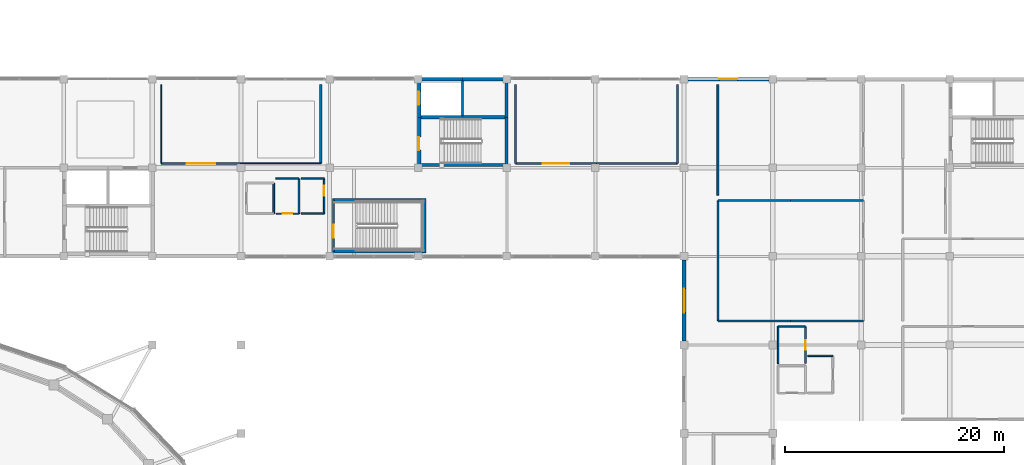
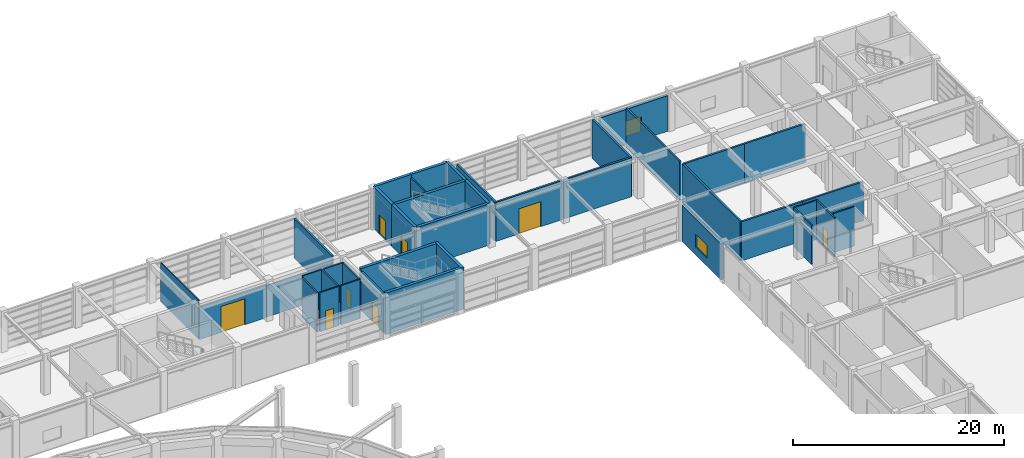
# One storey, part 42 of 56: 40 walls, 8 doors, 2 windows, 10 openings.
"""IFC4 building model written with IfcOpenShell, lengths in metres."""

from ifc_helpers import new_model, si_unit, direction, frame, frame_2d, origin, place, context, subcontext, project, spatial, rectangle, extrude, material, layer, layer_set, type_object, element, fill, save


model = new_model("IFC4")

# Units and contexts
model_context = context("Model", 3, precision=1e-05, world=origin(), true_north=direction((0.0, 1.0)))
body_context = subcontext(model_context, "Body", "Model", "MODEL_VIEW")
ifc_project = project(units=[si_unit("LENGTHUNIT", "METRE"), si_unit("AREAUNIT", "SQUARE_METRE"), si_unit("VOLUMEUNIT", "CUBIC_METRE"), si_unit("PLANEANGLEUNIT", "RADIAN"), si_unit("MASSUNIT", "GRAM", prefix="KILO")], contexts=[model_context])

# Site, building, storey
site_placement = place(None, origin())
site = spatial("IfcSite", under=ifc_project, at=site_placement, CompositionType="ELEMENT")
building_placement = place(site_placement, origin())
building = spatial("IfcBuilding", under=site, at=building_placement, Name="Parian Resonance Hall", CompositionType="ELEMENT")
storey_placement = place(building_placement, frame((0.0, 0.0, 5.39990234375)))
storey = spatial("IfcBuildingStorey", under=building, at=storey_placement, Name="L01", CompositionType="ELEMENT", Elevation=5.39990234375)

# Wall, opening, door
ifc_material_1 = material(Name="Concrete C40/50", Category="concrete")
ifc_layer_1 = layer(ifc_material_1, 0.31005859375)
ifc_layer_set_1 = layer_set([ifc_layer_1], Name="Concrete C40/50")
wall_type_1 = type_object("IfcWallType", Name="CW310", PredefinedType="SHEAR", material=ifc_layer_set_1)
wall_1_placement = place(storey_placement, frame((89.18994140625, 81.25, 0.0), z_axis=(0.0, 0.0, 1.0), x_axis=(0.0, 1.0, 0.0)))
wall_1 = element("IfcWall", 1, at=wall_1_placement, inside=storey, type_object=wall_type_1, Name="Core K5 stairwell west shear wall L01", PredefinedType="SHEAR", context=body_context, shape_type="SweptSolid", body=[
    extrude(rectangle(XDim=4.360107421875, YDim=0.31005859375, at=frame_2d((2.18017578125, 0.0))), origin(), (0.0, 0.0, 1.0), 4.800048828125),
])
opening_1_placement = place(wall_1_placement, frame((1.35009765625, 0.0, 0.0)))
opening_1 = element("IfcOpeningElement", 2, at=opening_1_placement, cuts=wall_1, Name="Opening FD-01", PredefinedType="OPENING", context=body_context, shape_type="SweptSolid", body=[
    extrude(rectangle(XDim=1.199951171875, YDim=2.25, at=frame_2d((0.60009765625, 1.125))), frame((0.0, 0.1650390625, 0.0), z_axis=(0.0, -1.0, 0.0), x_axis=(1.0, 0.0, 0.0)), (0.0, 0.0, 1.0), 0.330078125),
])
ifc_material_2 = material(Name="Fire-rated acoustic steel and narra timber door", Category="steel")
door_type_1 = type_object("IfcDoorType", Name="FD-01", OperationType="NOTDEFINED", PredefinedType="DOOR", material=ifc_material_2)
door_1_placement = place(opening_1_placement, origin())
door_1 = element("IfcDoor", 3, at=door_1_placement, inside=storey, type_object=door_type_1, Name="Exit stair ST-05 fire door L01", OperationType="SINGLE_SWING_LEFT", OverallHeight=2.25, OverallWidth=1.199951171875, PredefinedType="DOOR", context=body_context, shape_type="SweptSolid", body=[
    extrude(rectangle(XDim=1.199951171875, YDim=2.25, at=frame_2d((0.60009765625, 1.125))), frame((0.0, 0.02490234375, 0.0), z_axis=(0.0, -1.0, 0.0), x_axis=(1.0, 0.0, 0.0)), (0.0, 0.0, 1.0), 0.050048828125),
])
fill(opening_1, door_1)

wall_2_placement = place(storey_placement, frame((89.18994140625, 85.610107421875, 0.0), z_axis=(0.0, 0.0, 1.0), x_axis=(0.0, 1.0, 0.0)))
wall_2 = element("IfcWall", 4, at=wall_2_placement, inside=storey, type_object=wall_type_1, Name="Core K5 lift shaft west shear wall L01", PredefinedType="SHEAR", context=body_context, shape_type="SweptSolid", body=[
    extrude(rectangle(XDim=3.489990234375, YDim=0.31005859375, at=frame_2d((1.7451171875, 0.0))), origin(), (0.0, 0.0, 1.0), 4.800048828125),
])
opening_2_placement = place(wall_2_placement, frame((1.14501953125, 0.0, 0.0)))
opening_2 = element("IfcOpeningElement", 5, at=opening_2_placement, cuts=wall_2, Name="Opening LD-01", PredefinedType="OPENING", context=body_context, shape_type="SweptSolid", body=[
    extrude(rectangle(XDim=1.199951171875, YDim=2.199951171875, at=frame_2d((0.60009765625, 1.10009765625))), frame((0.0, 0.1650390625, 0.0), z_axis=(0.0, -1.0, 0.0), x_axis=(1.0, 0.0, 0.0)), (0.0, 0.0, 1.0), 0.330078125),
])
ifc_material_3 = material(Name="Stainless steel and bronze elevator cab", Category="steel")
door_type_2 = type_object("IfcDoorType", Name="DOOR-LIFT-1200x2200", OperationType="SLIDING_TO_LEFT", PredefinedType="DOOR", material=ifc_material_3)
door_2_placement = place(opening_2_placement, origin())
door_2 = element("IfcDoor", 6, at=door_2_placement, inside=storey, type_object=door_type_2, Name="Lift LF-06 sliding landing door L01", OperationType="SLIDING_TO_LEFT", OverallHeight=2.199951171875, OverallWidth=1.199951171875, PredefinedType="DOOR", context=body_context, shape_type="SweptSolid", body=[
    extrude(rectangle(XDim=1.199951171875, YDim=2.199951171875, at=frame_2d((0.60009765625, 1.10009765625))), frame((0.0, 0.02490234375, 0.0), z_axis=(0.0, -1.0, 0.0), x_axis=(1.0, 0.0, 0.0)), (0.0, 0.0, 1.0), 0.050048828125),
])
fill(opening_2, door_2)

# Walls
wall_3_placement = place(storey_placement, frame((89.18994140625, 89.10009765625, 0.0), z_axis=(0.0, 0.0, 1.0), x_axis=(1.0, 0.0, 0.0)))
element("IfcWall", 7, at=wall_3_placement, inside=storey, type_object=wall_type_1, Name="Core K5 north-west shaft wall L01", PredefinedType="SHEAR", context=body_context, shape_type="SweptSolid", body=[
    extrude(rectangle(XDim=3.9599609375, YDim=0.31005859375, at=frame_2d((1.97998046875, 0.0))), origin(), (0.0, 0.0, 1.0), 4.800048828125),
])
wall_4_placement = place(storey_placement, frame((93.14990234375, 89.10009765625, 0.0), z_axis=(0.0, 0.0, 1.0), x_axis=(1.0, 0.0, 0.0)))
element("IfcWall", 8, at=wall_4_placement, inside=storey, type_object=wall_type_1, Name="Core K5 north-east shaft wall L01", PredefinedType="SHEAR", context=body_context, shape_type="SweptSolid", body=[
    extrude(rectangle(XDim=4.02001953125, YDim=0.31005859375, at=frame_2d((2.010009765625, 0.0))), origin(), (0.0, 0.0, 1.0), 4.800048828125),
])
wall_5_placement = place(storey_placement, frame((97.169921875, 89.10009765625, 0.0), z_axis=(0.0, 0.0, 1.0), x_axis=(0.0, -1.0, 0.0)))
element("IfcWall", 9, at=wall_5_placement, inside=storey, type_object=wall_type_1, Name="Core K5 east shaft wall L01", PredefinedType="SHEAR", context=body_context, shape_type="SweptSolid", body=[
    extrude(rectangle(XDim=3.489990234375, YDim=0.31005859375, at=frame_2d((1.7451171875, 0.0))), origin(), (0.0, 0.0, 1.0), 4.800048828125),
])
wall_6_placement = place(storey_placement, frame((97.169921875, 85.610107421875, 0.0), z_axis=(0.0, 0.0, 1.0), x_axis=(0.0, -1.0, 0.0)))
element("IfcWall", 10, at=wall_6_placement, inside=storey, type_object=wall_type_1, Name="Core K5 stairwell east wall L01", PredefinedType="SHEAR", context=body_context, shape_type="SweptSolid", body=[
    extrude(rectangle(XDim=4.360107421875, YDim=0.31005859375, at=frame_2d((2.18017578125, 0.0))), origin(), (0.0, 0.0, 1.0), 4.800048828125),
])
for number, where, z_axis, x_axis, name in (
    (11, (97.169921875, 81.25, 0.0), (0.0, 0.0, 1.0), (-1.0, 0.0, 0.0), "Core K5 stairwell south wall L01"),
    (12, (89.18994140625, 85.610107421875, 0.0), (0.0, 0.0, 1.0), (1.0, 0.0, 0.0), "Core K5 stair-lift divider wall L01"),
):
    element("IfcWall", number, at=place(storey_placement, frame(where, z_axis=z_axis, x_axis=x_axis)), inside=storey, type_object=wall_type_1, Name=name, PredefinedType="SHEAR", context=body_context, shape_type="SweptSolid", body=[
        extrude(rectangle(XDim=7.97998046875, YDim=0.31005859375, at=frame_2d((3.989990234375, 0.0))), origin(), (0.0, 0.0, 1.0), 4.800048828125),
    ])
wall_7_placement = place(storey_placement, frame((81.25, 73.35009765625, 0.0), z_axis=(0.0, 0.0, 1.0), x_axis=(1.0, 0.0, 0.0)))
element("IfcWall", 13, at=wall_7_placement, inside=storey, type_object=wall_type_1, Name="Enclosed foyer exit stair ST-08 shear wall L01-S", PredefinedType="SHEAR", context=body_context, shape_type="SweptSolid", body=[
    extrude(rectangle(XDim=8.544921875, YDim=0.31005859375, at=frame_2d((4.2724609375, 0.0))), origin(), (0.0, 0.0, 1.0), 4.800048828125),
])
wall_8_placement = place(storey_placement, frame((89.639892578125, 73.195068359375, 0.0), z_axis=(0.0, 0.0, 1.0), x_axis=(0.0, 1.0, 0.0)))
element("IfcWall", 14, at=wall_8_placement, inside=storey, type_object=wall_type_1, Name="Enclosed foyer exit stair ST-08 shear wall L01-E", PredefinedType="SHEAR", context=body_context, shape_type="SweptSolid", body=[
    extrude(rectangle(XDim=4.989990234375, YDim=0.31005859375, at=frame_2d((2.4951171875, 0.0))), origin(), (0.0, 0.0, 1.0), 4.800048828125),
])
wall_9_placement = place(storey_placement, frame((89.794921875, 78.030029296875, 0.0), z_axis=(0.0, 0.0, 1.0), x_axis=(-1.0, 0.0, 0.0)))
element("IfcWall", 15, at=wall_9_placement, inside=storey, type_object=wall_type_1, Name="Enclosed foyer exit stair ST-08 shear wall L01-N", PredefinedType="SHEAR", context=body_context, shape_type="SweptSolid", body=[
    extrude(rectangle(XDim=8.544921875, YDim=0.31005859375, at=frame_2d((4.2724609375, 0.0))), origin(), (0.0, 0.0, 1.0), 4.800048828125),
])

# Wall, opening, window
ifc_material_4 = material(Name="Concrete C35/45 with Carcar coral-limestone ashlar", Category="masonry")
ifc_layer_2 = layer(ifc_material_4, 0.340087890625)
ifc_layer_set_2 = layer_set([ifc_layer_2], Name="Concrete C35/45 with Carcar coral-limestone ashlar")
wall_type_2 = type_object("IfcWallType", Name="EW-STONE-340", PredefinedType="SOLIDWALL", material=ifc_layer_set_2)
wall_10_placement = place(storey_placement, frame((121.14990234375, 89.10009765625, 0.0), z_axis=(0.0, 0.0, 1.0), x_axis=(-1.0, 0.0, 0.0)))
wall_10 = element("IfcWall", 16, at=wall_10_placement, inside=storey, type_object=wall_type_2, Name="Perimeter closure wall L01", PredefinedType="SOLIDWALL", context=body_context, shape_type="SweptSolid", body=[
    extrude(rectangle(XDim=7.39990234375, YDim=0.340087890625, at=frame_2d((3.699951171875, 0.0))), origin(), (0.0, 0.0, 1.0), 4.107177734375),
])
opening_3_placement = place(wall_10_placement, frame((2.875, 0.0, 0.89990234375)))
opening_3 = element("IfcOpeningElement", 17, at=opening_3_placement, cuts=wall_10, Name="Opening WN-28", PredefinedType="OPENING", context=body_context, shape_type="SweptSolid", body=[
    extrude(rectangle(XDim=1.64990234375, YDim=1.75, at=frame_2d((0.824951171875, 0.875))), frame((0.0, 0.179931640625, 0.0), z_axis=(0.0, -1.0, 0.0), x_axis=(1.0, 0.0, 0.0)), (0.0, 0.0, 1.0), 0.360107421875),
])
ifc_material_5 = material(Name="Acoustic laminated double glazing", Category="glass")
window_type_1 = type_object("IfcWindowType", Name="WIN-1650x1750", PartitioningType="SINGLE_PANEL", PredefinedType="WINDOW", material=ifc_material_5)
window_1_placement = place(opening_3_placement, origin())
window_1 = element("IfcWindow", 18, at=window_1_placement, inside=storey, type_object=window_type_1, Name="Acoustic window L01-0064", OverallHeight=1.75, OverallWidth=1.64990234375, PartitioningType="SINGLE_PANEL", PredefinedType="WINDOW", context=body_context, shape_type="SweptSolid", body=[
    extrude(rectangle(XDim=1.64990234375, YDim=1.75, at=frame_2d((0.824951171875, 0.875))), frame((0.0, 0.030029296875, 0.0), z_axis=(0.0, -1.0, 0.0), x_axis=(1.0, 0.0, 0.0)), (0.0, 0.0, 1.0), 0.06005859375),
])
fill(opening_3, window_1)

wall_11_placement = place(storey_placement, frame((113.39990234375, 72.550048828125, 0.0), z_axis=(0.0, 0.0, 1.0), x_axis=(0.0, -1.0, 0.0)))
wall_11 = element("IfcWall", 19, at=wall_11_placement, inside=storey, type_object=wall_type_2, Name="Perimeter closure wall L01", PredefinedType="SOLIDWALL", context=body_context, shape_type="SweptSolid", body=[
    extrude(rectangle(XDim=7.400146484375, YDim=0.340087890625, at=frame_2d((3.7001953125, 0.0))), origin(), (0.0, 0.0, 1.0), 4.1669921875),
])
opening_4_placement = place(wall_11_placement, frame((2.60009765625, 0.0, 0.89990234375)))
opening_4 = element("IfcOpeningElement", 20, at=opening_4_placement, cuts=wall_11, Name="Opening WN-39", PredefinedType="OPENING", context=body_context, shape_type="SweptSolid", body=[
    extrude(rectangle(XDim=2.199951171875, YDim=1.5, at=frame_2d((1.10009765625, 0.75))), frame((0.0, 0.179931640625, 0.0), z_axis=(0.0, -1.0, 0.0), x_axis=(1.0, 0.0, 0.0)), (0.0, 0.0, 1.0), 0.360107421875),
])
ifc_material_6 = material(Name="Acoustic laminated double glazing", Category="glass")
window_type_2 = type_object("IfcWindowType", Name="WIN-2200x1500", PartitioningType="SINGLE_PANEL", PredefinedType="WINDOW", material=ifc_material_6)
window_2_placement = place(opening_4_placement, origin())
window_2 = element("IfcWindow", 21, at=window_2_placement, inside=storey, type_object=window_type_2, Name="Acoustic window L01-0071", OverallHeight=1.5, OverallWidth=2.199951171875, PartitioningType="SINGLE_PANEL", PredefinedType="WINDOW", context=body_context, shape_type="SweptSolid", body=[
    extrude(rectangle(XDim=2.199951171875, YDim=1.5, at=frame_2d((1.10009765625, 0.75))), frame((0.0, 0.030029296875, 0.0), z_axis=(0.0, -1.0, 0.0), x_axis=(1.0, 0.0, 0.0)), (0.0, 0.0, 1.0), 0.06005859375),
])
fill(opening_4, window_2)

# Wall, opening, door
ifc_material_7 = material(Name="Concrete C35/45 fire barrier", Category="concrete")
ifc_layer_3 = layer(ifc_material_7, 0.199951171875)
ifc_layer_set_3 = layer_set([ifc_layer_3], Name="Concrete C35/45 fire barrier")
wall_type_3 = type_object("IfcWallType", Name="FW200", PredefinedType="PARTITIONING", material=ifc_layer_set_3)
wall_12_placement = place(storey_placement, frame((81.35009765625, 73.35009765625, 0.0), z_axis=(0.0, 0.0, 1.0), x_axis=(0.0, 1.0, 0.0)))
wall_12 = element("IfcWall", 22, at=wall_12_placement, inside=storey, type_object=wall_type_3, Name="Enclosed foyer exit stair ST-08 fire-door front wall L01", PredefinedType="PARTITIONING", context=body_context, shape_type="SweptSolid", body=[
    extrude(rectangle(XDim=4.679931640625, YDim=0.199951171875, at=frame_2d((2.33984375, 0.0))), origin(), (0.0, 0.0, 1.0), 4.4501953125),
])
opening_5_placement = place(wall_12_placement, frame((1.25, 0.0, 0.0)))
opening_5 = element("IfcOpeningElement", 23, at=opening_5_placement, cuts=wall_12, Name="Opening FD-01", PredefinedType="OPENING", context=body_context, shape_type="SweptSolid", body=[
    extrude(rectangle(XDim=1.199951171875, YDim=2.25, at=frame_2d((0.60009765625, 1.125))), frame((0.0, 0.10986328125, 0.0), z_axis=(0.0, -1.0, 0.0), x_axis=(1.0, 0.0, 0.0)), (0.0, 0.0, 1.0), 0.219970703125),
])
door_3_placement = place(opening_5_placement, origin())
door_3 = element("IfcDoor", 24, at=door_3_placement, inside=storey, type_object=door_type_1, Name="Exit stair ST-08 fire door L01", OperationType="SINGLE_SWING_LEFT", OverallHeight=2.25, OverallWidth=1.199951171875, PredefinedType="DOOR", context=body_context, shape_type="SweptSolid", body=[
    extrude(rectangle(XDim=1.199951171875, YDim=2.25, at=frame_2d((0.60009765625, 1.125))), frame((0.0, 0.02490234375, 0.0), z_axis=(0.0, -1.0, 0.0), x_axis=(1.0, 0.0, 0.0)), (0.0, 0.0, 1.0), 0.050048828125),
])
fill(opening_5, door_3)

# Wall
wall_13_placement = place(storey_placement, frame((80.199951171875, 88.60009765625, 0.0), z_axis=(0.0, 0.0, 1.0), x_axis=(0.0, -1.0, 0.0)))
element("IfcWall", 25, at=wall_13_placement, inside=storey, type_object=wall_type_3, Name="Interior acoustic partition IW-L01-0130", PredefinedType="PARTITIONING", context=body_context, shape_type="SweptSolid", body=[
    extrude(rectangle(XDim=7.2001953125, YDim=0.199951171875, at=frame_2d((3.60009765625, 0.0))), origin(), (0.0, 0.0, 1.0), 4.52001953125),
])

# Wall, opening, door
wall_14_placement = place(storey_placement, frame((72.89990234375, 81.39990234375, 0.0), z_axis=(0.0, 0.0, 1.0), x_axis=(-1.0, 0.0, 0.0)))
wall_14 = element("IfcWall", 26, at=wall_14_placement, inside=storey, type_object=wall_type_3, Name="Interior acoustic partition IW-L01-0132", PredefinedType="PARTITIONING", context=body_context, shape_type="SweptSolid", body=[
    extrude(rectangle(XDim=7.2998046875, YDim=0.199951171875, at=frame_2d((3.64990234375, 0.0))), origin(), (0.0, 0.0, 1.0), 3.754150390625),
])
opening_6_placement = place(wall_14_placement, frame((2.35009765625, 0.0, 0.0)))
opening_6 = element("IfcOpeningElement", 27, at=opening_6_placement, cuts=wall_14, Name="Opening ID-04", PredefinedType="OPENING", context=body_context, shape_type="SweptSolid", body=[
    extrude(rectangle(XDim=2.60009765625, YDim=3.0, at=frame_2d((1.300048828125, 1.5))), frame((0.0, 0.10986328125, 0.0), z_axis=(0.0, -1.0, 0.0), x_axis=(1.0, 0.0, 0.0)), (0.0, 0.0, 1.0), 0.219970703125),
])
ifc_material_8 = material(Name="Fire-rated acoustic steel and narra timber door", Category="steel")
door_type_3 = type_object("IfcDoorType", Name="ID-STAGE-2600x3000", OperationType="NOTDEFINED", PredefinedType="DOOR", material=ifc_material_8)
door_4_placement = place(opening_6_placement, origin())
door_4 = element("IfcDoor", 28, at=door_4_placement, inside=storey, type_object=door_type_3, Name="Chamber Practice Studio 01 door", OperationType="DOUBLE_DOOR_SINGLE_SWING", OverallHeight=3.0, OverallWidth=2.60009765625, PredefinedType="DOOR", context=body_context, shape_type="SweptSolid", body=[
    extrude(rectangle(XDim=2.60009765625, YDim=3.0, at=frame_2d((1.300048828125, 1.5))), frame((0.0, 0.02490234375, 0.0), z_axis=(0.0, -1.0, 0.0), x_axis=(1.0, 0.0, 0.0)), (0.0, 0.0, 1.0), 0.050048828125),
])
fill(opening_6, door_4)

# Walls
wall_15_placement = place(storey_placement, frame((112.800048828125, 88.60009765625, 0.0), z_axis=(0.0, 0.0, 1.0), x_axis=(0.0, -1.0, 0.0)))
element("IfcWall", 29, at=wall_15_placement, inside=storey, type_object=wall_type_3, Name="Interior acoustic partition IW-L01-0134", PredefinedType="PARTITIONING", context=body_context, shape_type="SweptSolid", body=[
    extrude(rectangle(XDim=7.2001953125, YDim=0.199951171875, at=frame_2d((3.60009765625, 0.0))), origin(), (0.0, 0.0, 1.0), 4.52001953125),
])
wall_16_placement = place(storey_placement, frame((112.800048828125, 81.39990234375, 0.0), z_axis=(0.0, 0.0, 1.0), x_axis=(-1.0, 0.0, 0.0)))
element("IfcWall", 30, at=wall_16_placement, inside=storey, type_object=wall_type_3, Name="Interior acoustic partition IW-L01-0135", PredefinedType="PARTITIONING", context=body_context, shape_type="SweptSolid", body=[
    extrude(rectangle(XDim=7.400146484375, YDim=0.199951171875, at=frame_2d((3.7001953125, 0.0))), origin(), (0.0, 0.0, 1.0), 4.52001953125),
])

# Wall, opening, door
wall_17_placement = place(storey_placement, frame((105.39990234375, 81.39990234375, 0.0), z_axis=(0.0, 0.0, 1.0), x_axis=(-1.0, 0.0, 0.0)))
wall_17 = element("IfcWall", 31, at=wall_17_placement, inside=storey, type_object=wall_type_3, Name="Interior acoustic partition IW-L01-0136", PredefinedType="PARTITIONING", context=body_context, shape_type="SweptSolid", body=[
    extrude(rectangle(XDim=7.39990234375, YDim=0.199951171875, at=frame_2d((3.699951171875, 0.0))), origin(), (0.0, 0.0, 1.0), 4.52001953125),
])
opening_7_placement = place(wall_17_placement, frame((2.5, 0.0, 0.0)))
opening_7 = element("IfcOpeningElement", 32, at=opening_7_placement, cuts=wall_17, Name="Opening ID-05", PredefinedType="OPENING", context=body_context, shape_type="SweptSolid", body=[
    extrude(rectangle(XDim=2.39990234375, YDim=2.89990234375, at=frame_2d((1.199951171875, 1.449951171875))), frame((0.0, 0.10986328125, 0.0), z_axis=(0.0, -1.0, 0.0), x_axis=(1.0, 0.0, 0.0)), (0.0, 0.0, 1.0), 0.219970703125),
])
ifc_material_9 = material(Name="Fire-rated acoustic steel and narra timber door", Category="steel")
door_type_4 = type_object("IfcDoorType", Name="ID-STAGE-2400x2900", OperationType="NOTDEFINED", PredefinedType="DOOR", material=ifc_material_9)
door_5_placement = place(opening_7_placement, origin())
door_5 = element("IfcDoor", 33, at=door_5_placement, inside=storey, type_object=door_type_4, Name="Chamber Practice Studio 02 door", OperationType="DOUBLE_DOOR_SINGLE_SWING", OverallHeight=2.89990234375, OverallWidth=2.39990234375, PredefinedType="DOOR", context=body_context, shape_type="SweptSolid", body=[
    extrude(rectangle(XDim=2.39990234375, YDim=2.89990234375, at=frame_2d((1.199951171875, 1.449951171875))), frame((0.0, 0.02490234375, 0.0), z_axis=(0.0, -1.0, 0.0), x_axis=(1.0, 0.0, 0.0)), (0.0, 0.0, 1.0), 0.050048828125),
])
fill(opening_7, door_5)

# Walls
wall_18_placement = place(storey_placement, frame((98.0, 81.39990234375, 0.0), z_axis=(0.0, 0.0, 1.0), x_axis=(0.0, 1.0, 0.0)))
element("IfcWall", 34, at=wall_18_placement, inside=storey, type_object=wall_type_3, Name="Interior acoustic partition IW-L01-0137", PredefinedType="PARTITIONING", context=body_context, shape_type="SweptSolid", body=[
    extrude(rectangle(XDim=7.2001953125, YDim=0.199951171875, at=frame_2d((3.60009765625, 0.0))), origin(), (0.0, 0.0, 1.0), 4.52001953125),
])
wall_19_placement = place(storey_placement, frame((129.800048828125, 67.0, 0.0), z_axis=(0.0, 0.0, 1.0), x_axis=(-1.0, 0.0, 0.0)))
element("IfcWall", 35, at=wall_19_placement, inside=storey, type_object=wall_type_3, Name="Interior acoustic partition IW-L01-0148", PredefinedType="PARTITIONING", context=body_context, shape_type="SweptSolid", body=[
    extrude(rectangle(XDim=6.650146484375, YDim=0.199951171875, at=frame_2d((3.3251953125, 0.0))), origin(), (0.0, 0.0, 1.0), 4.52001953125),
])
wall_20_placement = place(storey_placement, frame((123.14990234375, 67.0, 0.0), z_axis=(0.0, 0.0, 1.0), x_axis=(-1.0, 0.0, 0.0)))
element("IfcWall", 36, at=wall_20_placement, inside=storey, type_object=wall_type_3, Name="Interior acoustic partition IW-L01-0149", PredefinedType="PARTITIONING", context=body_context, shape_type="SweptSolid", body=[
    extrude(rectangle(XDim=6.64990234375, YDim=0.199951171875, at=frame_2d((3.324951171875, 0.0))), origin(), (0.0, 0.0, 1.0), 4.52001953125),
])
wall_21_placement = place(storey_placement, frame((116.5, 67.0, 0.0), z_axis=(0.0, 0.0, 1.0), x_axis=(0.0, 1.0, 0.0)))
element("IfcWall", 37, at=wall_21_placement, inside=storey, type_object=wall_type_3, Name="Interior acoustic partition IW-L01-0150", PredefinedType="PARTITIONING", context=body_context, shape_type="SweptSolid", body=[
    extrude(rectangle(XDim=11.0, YDim=0.199951171875, at=frame_2d((5.5, 0.0))), origin(), (0.0, 0.0, 1.0), 4.52001953125),
])
wall_22_placement = place(storey_placement, frame((116.5, 78.0, 0.0), z_axis=(0.0, 0.0, 1.0), x_axis=(1.0, 0.0, 0.0)))
element("IfcWall", 38, at=wall_22_placement, inside=storey, type_object=wall_type_3, Name="Interior acoustic partition IW-L01-0151", PredefinedType="PARTITIONING", context=body_context, shape_type="SweptSolid", body=[
    extrude(rectangle(XDim=6.64990234375, YDim=0.199951171875, at=frame_2d((3.324951171875, 0.0))), origin(), (0.0, 0.0, 1.0), 4.52001953125),
])
wall_23_placement = place(storey_placement, frame((123.14990234375, 78.0, 0.0), z_axis=(0.0, 0.0, 1.0), x_axis=(1.0, 0.0, 0.0)))
element("IfcWall", 39, at=wall_23_placement, inside=storey, type_object=wall_type_3, Name="Interior acoustic partition IW-L01-0152", PredefinedType="PARTITIONING", context=body_context, shape_type="SweptSolid", body=[
    extrude(rectangle(XDim=6.650146484375, YDim=0.199951171875, at=frame_2d((3.3251953125, 0.0))), origin(), (0.0, 0.0, 1.0), 4.52001953125),
])
ifc_material_10 = material(Name="Concrete C35/45 acoustic masonry partition", Category="masonry")
ifc_layer_4 = layer(ifc_material_10, 0.10009765625)
ifc_layer_set_4 = layer_set([ifc_layer_4], Name="Concrete C35/45 acoustic masonry partition")
wall_type_4 = type_object("IfcWallType", Name="PW100", PredefinedType="PARTITIONING", material=ifc_layer_set_4)
wall_24_placement = place(storey_placement, frame((80.199951171875, 81.39990234375, 0.0), z_axis=(0.0, 0.0, 1.0), x_axis=(-1.0, 0.0, 0.0)))
element("IfcWall", 40, at=wall_24_placement, inside=storey, type_object=wall_type_4, Name="Interior acoustic partition IW-L01-0131", PredefinedType="PARTITIONING", context=body_context, shape_type="SweptSolid", body=[
    extrude(rectangle(XDim=7.300048828125, YDim=0.10009765625, at=frame_2d((3.64990234375, 0.0))), origin(), (0.0, 0.0, 1.0), 3.654052734375),
])
wall_25_placement = place(storey_placement, frame((65.60009765625, 81.39990234375, 0.0), z_axis=(0.0, 0.0, 1.0), x_axis=(0.0, 1.0, 0.0)))
element("IfcWall", 41, at=wall_25_placement, inside=storey, type_object=wall_type_4, Name="Interior acoustic partition IW-L01-0133", PredefinedType="PARTITIONING", context=body_context, shape_type="SweptSolid", body=[
    extrude(rectangle(XDim=7.2001953125, YDim=0.10009765625, at=frame_2d((3.60009765625, 0.0))), origin(), (0.0, 0.0, 1.0), 4.52001953125),
])
ifc_material_11 = material(Name="Concrete C35/45 acoustic plumbing chase wall", Category="concrete")
ifc_layer_5 = layer(ifc_material_11, 0.14990234375)
ifc_layer_set_5 = layer_set([ifc_layer_5], Name="Concrete C35/45 acoustic plumbing chase wall")
wall_type_5 = type_object("IfcWallType", Name="PW150", PredefinedType="PLUMBINGWALL", material=ifc_layer_set_5)
wall_26_placement = place(storey_placement, frame((93.14990234375, 85.77001953125, 0.0), z_axis=(0.0, 0.0, 1.0), x_axis=(0.0, 1.0, 0.0)))
element("IfcWall", 42, at=wall_26_placement, inside=storey, type_object=wall_type_5, Name="Core K5 shaft plumbing/riser divider L01", PredefinedType="PLUMBINGWALL", context=body_context, shape_type="SweptSolid", body=[
    extrude(rectangle(XDim=3.169921875, YDim=0.14990234375, at=frame_2d((1.5849609375, 0.0))), origin(), (0.0, 0.0, 1.0), 4.4501953125),
])
wall_27_placement = place(storey_placement, frame((75.89990234375, 79.60009765625, 0.0), z_axis=(0.0, 0.0, 1.0), x_axis=(0.0, -1.0, 0.0)))
element("IfcWall", 43, at=wall_27_placement, inside=storey, type_object=wall_type_5, Name="Interior acoustic partition IW-L01-0110", PredefinedType="PLUMBINGWALL", context=body_context, shape_type="SweptSolid", body=[
    extrude(rectangle(XDim=2.800048828125, YDim=0.14990234375, at=frame_2d((1.39990234375, 0.0))), origin(), (0.0, 0.0, 1.0), 4.52001953125),
])
wall_28_placement = place(storey_placement, frame((78.199951171875, 80.0, 0.0), z_axis=(0.0, 0.0, 1.0), x_axis=(0.0, -1.0, 0.0)))
element("IfcWall", 44, at=wall_28_placement, inside=storey, type_object=wall_type_5, Name="Interior acoustic partition IW-L01-0114", PredefinedType="PLUMBINGWALL", context=body_context, shape_type="SweptSolid", body=[
    extrude(rectangle(XDim=3.199951171875, YDim=0.14990234375, at=frame_2d((1.60009765625, 0.0))), origin(), (0.0, 0.0, 1.0), 4.52001953125),
])

# Wall, opening, door
wall_29_placement = place(storey_placement, frame((78.199951171875, 76.800048828125, 0.0), z_axis=(0.0, 0.0, 1.0), x_axis=(-1.0, 0.0, 0.0)))
wall_29 = element("IfcWall", 45, at=wall_29_placement, inside=storey, type_object=wall_type_5, Name="Interior acoustic partition IW-L01-0115", PredefinedType="PLUMBINGWALL", context=body_context, shape_type="SweptSolid", body=[
    extrude(rectangle(XDim=2.099853515625, YDim=0.14990234375, at=frame_2d((1.0498046875, 0.0))), origin(), (0.0, 0.0, 1.0), 4.52001953125),
])
opening_8_placement = place(wall_29_placement, frame((0.60009765625, 0.0, 0.0)))
opening_8 = element("IfcOpeningElement", 46, at=opening_8_placement, cuts=wall_29, Name="Opening ID-23", PredefinedType="OPENING", context=body_context, shape_type="SweptSolid", body=[
    extrude(rectangle(XDim=0.89990234375, YDim=2.199951171875, at=frame_2d((0.449951171875, 1.10009765625))), frame((0.0, 0.0849609375, 0.0), z_axis=(0.0, -1.0, 0.0), x_axis=(1.0, 0.0, 0.0)), (0.0, 0.0, 1.0), 0.169921875),
])
ifc_material_12 = material(Name="Philippine narra acoustic timber door", Category="wood")
door_type_5 = type_object("IfcDoorType", Name="ID-WC-0900x2200", OperationType="NOTDEFINED", PredefinedType="DOOR", material=ifc_material_12)
door_6_placement = place(opening_8_placement, origin())
door_6 = element("IfcDoor", 47, at=door_6_placement, inside=storey, type_object=door_type_5, Name="Male Restroom W1 door", OperationType="SINGLE_SWING_LEFT", OverallHeight=2.199951171875, OverallWidth=0.89990234375, PredefinedType="DOOR", context=body_context, shape_type="SweptSolid", body=[
    extrude(rectangle(XDim=0.89990234375, YDim=2.199951171875, at=frame_2d((0.449951171875, 1.10009765625))), frame((0.0, 0.02490234375, 0.0), z_axis=(0.0, -1.0, 0.0), x_axis=(1.0, 0.0, 0.0)), (0.0, 0.0, 1.0), 0.050048828125),
])
fill(opening_8, door_6)

# Wall
wall_30_placement = place(storey_placement, frame((76.10009765625, 80.0, 0.0), z_axis=(0.0, 0.0, 1.0), x_axis=(1.0, 0.0, 0.0)))
element("IfcWall", 48, at=wall_30_placement, inside=storey, type_object=wall_type_5, Name="Interior acoustic partition IW-L01-0116", PredefinedType="PLUMBINGWALL", context=body_context, shape_type="SweptSolid", body=[
    extrude(rectangle(XDim=2.099853515625, YDim=0.14990234375, at=frame_2d((1.0498046875, 0.0))), origin(), (0.0, 0.0, 1.0), 4.52001953125),
])

# Wall, opening, door
wall_31_placement = place(storey_placement, frame((80.5, 80.0, 0.0), z_axis=(0.0, 0.0, 1.0), x_axis=(0.0, -1.0, 0.0)))
wall_31 = element("IfcWall", 49, at=wall_31_placement, inside=storey, type_object=wall_type_5, Name="Interior acoustic partition IW-L01-0117", PredefinedType="PLUMBINGWALL", context=body_context, shape_type="SweptSolid", body=[
    extrude(rectangle(XDim=3.199951171875, YDim=0.14990234375, at=frame_2d((1.60009765625, 0.0))), origin(), (0.0, 0.0, 1.0), 4.52001953125),
])
opening_9_placement = place(wall_31_placement, frame((0.669921875, 0.0, 0.0)))
opening_9 = element("IfcOpeningElement", 50, at=opening_9_placement, cuts=wall_31, Name="Opening ID-22", PredefinedType="OPENING", context=body_context, shape_type="SweptSolid", body=[
    extrude(rectangle(XDim=0.89990234375, YDim=2.10009765625, at=frame_2d((0.449951171875, 1.050048828125))), frame((0.0, 0.0849609375, 0.0), z_axis=(0.0, -1.0, 0.0), x_axis=(1.0, 0.0, 0.0)), (0.0, 0.0, 1.0), 0.169921875),
])
ifc_material_13 = material(Name="Philippine narra acoustic timber door", Category="wood")
door_type_6 = type_object("IfcDoorType", Name="ID-WC-0900x2100", OperationType="NOTDEFINED", PredefinedType="DOOR", material=ifc_material_13)
door_7_placement = place(opening_9_placement, origin())
door_7 = element("IfcDoor", 51, at=door_7_placement, inside=storey, type_object=door_type_6, Name="Female Restroom W1 door", OperationType="SINGLE_SWING_RIGHT", OverallHeight=2.10009765625, OverallWidth=0.89990234375, PredefinedType="DOOR", context=body_context, shape_type="SweptSolid", body=[
    extrude(rectangle(XDim=0.89990234375, YDim=2.10009765625, at=frame_2d((0.449951171875, 1.050048828125))), frame((0.0, 0.02490234375, 0.0), z_axis=(0.0, -1.0, 0.0), x_axis=(1.0, 0.0, 0.0)), (0.0, 0.0, 1.0), 0.050048828125),
])
fill(opening_9, door_7)

# Walls
for number, where, z_axis, x_axis, name in (
    (52, (80.5, 76.800048828125, 0.0), (0.0, 0.0, 1.0), (-1.0, 0.0, 0.0), "Interior acoustic partition IW-L01-0118"),
    (53, (78.39990234375, 80.0, 0.0), (0.0, 0.0, 1.0), (1.0, 0.0, 0.0), "Interior acoustic partition IW-L01-0119"),
):
    element("IfcWall", number, at=place(storey_placement, frame(where, z_axis=z_axis, x_axis=x_axis)), inside=storey, type_object=wall_type_5, Name=name, PredefinedType="PLUMBINGWALL", context=body_context, shape_type="SweptSolid", body=[
        extrude(rectangle(XDim=2.10009765625, YDim=0.14990234375, at=frame_2d((1.050048828125, 0.0))), origin(), (0.0, 0.0, 1.0), 4.52001953125),
    ])
wall_32_placement = place(storey_placement, frame((124.699951171875, 63.800048828125, 0.0), z_axis=(0.0, 0.0, 1.0), x_axis=(1.0, 0.0, 0.0)))
element("IfcWall", 54, at=wall_32_placement, inside=storey, type_object=wall_type_5, Name="Interior acoustic partition IW-L01-0126", PredefinedType="PLUMBINGWALL", context=body_context, shape_type="SweptSolid", body=[
    extrude(rectangle(XDim=2.300048828125, YDim=0.14990234375, at=frame_2d((1.14990234375, 0.0))), origin(), (0.0, 0.0, 1.0), 4.52001953125),
])

# Wall, opening, door
wall_33_placement = place(storey_placement, frame((124.5, 66.5, 0.0), z_axis=(0.0, 0.0, 1.0), x_axis=(0.0, -1.0, 0.0)))
wall_33 = element("IfcWall", 55, at=wall_33_placement, inside=storey, type_object=wall_type_5, Name="Interior acoustic partition IW-L01-0127", PredefinedType="PLUMBINGWALL", context=body_context, shape_type="SweptSolid", body=[
    extrude(rectangle(XDim=3.39990234375, YDim=0.14990234375, at=frame_2d((1.699951171875, 0.0))), origin(), (0.0, 0.0, 1.0), 4.52001953125),
])
opening_10_placement = place(wall_33_placement, frame((1.25, 0.0, 0.0)))
opening_10 = element("IfcOpeningElement", 56, at=opening_10_placement, cuts=wall_33, Name="Opening ID-23", PredefinedType="OPENING", context=body_context, shape_type="SweptSolid", body=[
    extrude(rectangle(XDim=0.89990234375, YDim=2.199951171875, at=frame_2d((0.449951171875, 1.10009765625))), frame((0.0, 0.0849609375, 0.0), z_axis=(0.0, -1.0, 0.0), x_axis=(1.0, 0.0, 0.0)), (0.0, 0.0, 1.0), 0.169921875),
])
door_8_placement = place(opening_10_placement, origin())
door_8 = element("IfcDoor", 57, at=door_8_placement, inside=storey, type_object=door_type_5, Name="Male Restroom W2 door", OperationType="SINGLE_SWING_LEFT", OverallHeight=2.199951171875, OverallWidth=0.89990234375, PredefinedType="DOOR", context=body_context, shape_type="SweptSolid", body=[
    extrude(rectangle(XDim=0.89990234375, YDim=2.199951171875, at=frame_2d((0.449951171875, 1.10009765625))), frame((0.0, 0.02490234375, 0.0), z_axis=(0.0, -1.0, 0.0), x_axis=(1.0, 0.0, 0.0)), (0.0, 0.0, 1.0), 0.050048828125),
])
fill(opening_10, door_8)

# Walls
wall_34_placement = place(storey_placement, frame((122.0, 63.10009765625, 0.0), z_axis=(0.0, 0.0, 1.0), x_axis=(0.0, 1.0, 0.0)))
element("IfcWall", 58, at=wall_34_placement, inside=storey, type_object=wall_type_5, Name="Interior acoustic partition IW-L01-0128", PredefinedType="PLUMBINGWALL", context=body_context, shape_type="SweptSolid", body=[
    extrude(rectangle(XDim=3.39990234375, YDim=0.14990234375, at=frame_2d((1.699951171875, 0.0))), origin(), (0.0, 0.0, 1.0), 4.52001953125),
])
wall_35_placement = place(storey_placement, frame((122.0, 66.5, 0.0), z_axis=(0.0, 0.0, 1.0), x_axis=(1.0, 0.0, 0.0)))
element("IfcWall", 59, at=wall_35_placement, inside=storey, type_object=wall_type_5, Name="Interior acoustic partition IW-L01-0129", PredefinedType="PLUMBINGWALL", context=body_context, shape_type="SweptSolid", body=[
    extrude(rectangle(XDim=2.5, YDim=0.14990234375, at=frame_2d((1.25, 0.0))), origin(), (0.0, 0.0, 1.0), 4.52001953125),
])
ifc_material_14 = material(Name="Concrete C35/45 acoustic masonry partition", Category="masonry")
ifc_layer_6 = layer(ifc_material_14, 0.179931640625)
ifc_layer_set_6 = layer_set([ifc_layer_6], Name="Concrete C35/45 acoustic masonry partition")
wall_type_6 = type_object("IfcWallType", Name="PW180", PredefinedType="PARTITIONING", material=ifc_layer_set_6)
wall_36_placement = place(storey_placement, frame((116.5, 78.5, 0.0), z_axis=(0.0, 0.0, 1.0), x_axis=(0.0, 1.0, 0.0)))
element("IfcWall", 60, at=wall_36_placement, inside=storey, type_object=wall_type_6, Name="Interior acoustic partition IW-L01-0154", PredefinedType="PARTITIONING", context=body_context, shape_type="SweptSolid", body=[
    extrude(rectangle(XDim=10.10009765625, YDim=0.179931640625, at=frame_2d((5.050048828125, 0.0))), origin(), (0.0, 0.0, 1.0), 4.52001953125),
])

save(model, "model.ifc")
